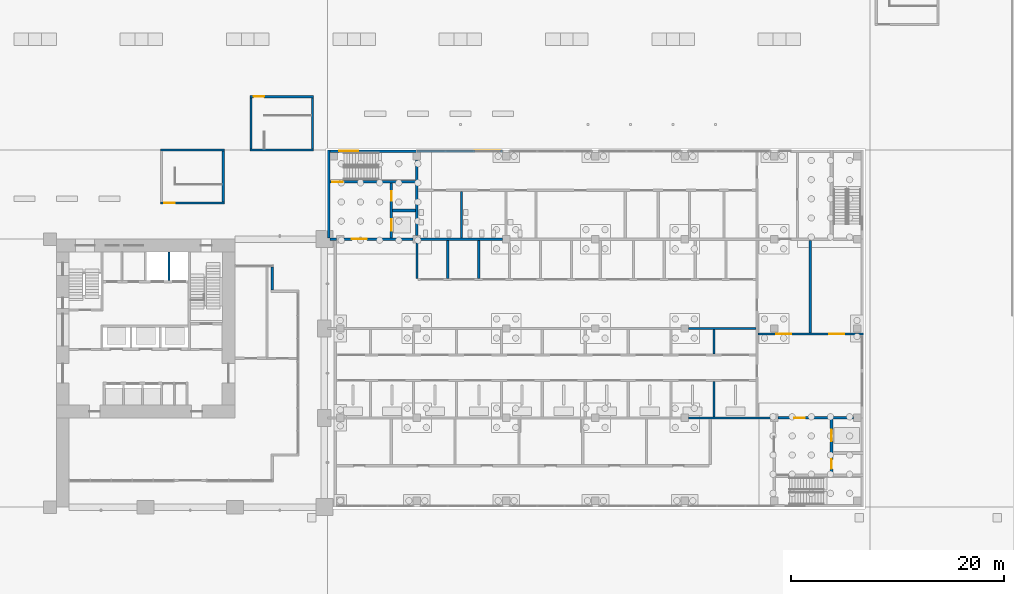
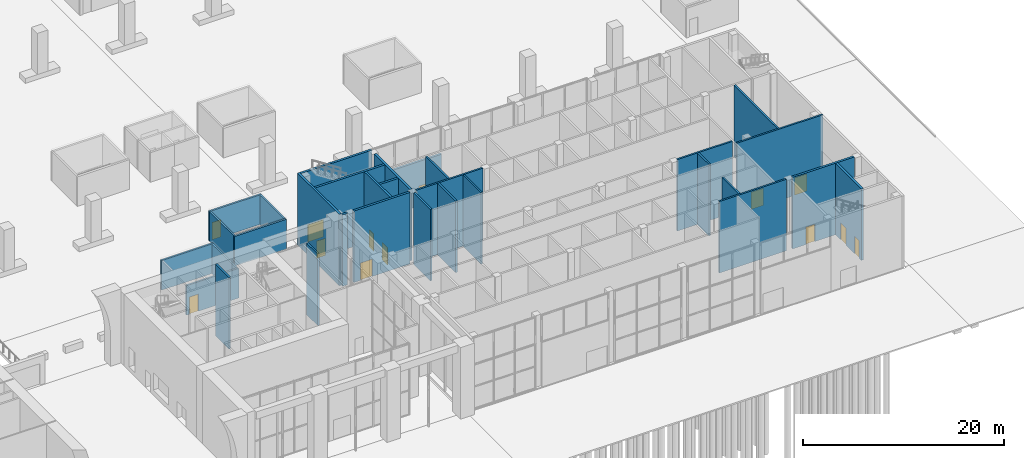
# One storey, part 25 of 46: 31 walls, 13 doors, 13 openings.
"""IFC4 building model written with IfcOpenShell, lengths in metres."""

from ifc_helpers import new_model, si_unit, direction, frame, frame_2d, origin, place, context, subcontext, project, spatial, rectangle, extrude, material, layer, layer_set, type_object, element, fill, save


model = new_model("IFC4")

# Units and contexts
model_context = context("Model", 3, precision=1e-05, world=origin(), true_north=direction((0.0, 1.0)))
body_context = subcontext(model_context, "Body", "Model", "MODEL_VIEW")
ifc_project = project(units=[si_unit("LENGTHUNIT", "METRE"), si_unit("AREAUNIT", "SQUARE_METRE"), si_unit("VOLUMEUNIT", "CUBIC_METRE"), si_unit("PLANEANGLEUNIT", "RADIAN"), si_unit("MASSUNIT", "GRAM", prefix="KILO")], contexts=[model_context])

# Site, building, storey
site_placement = place(None, origin())
site = spatial("IfcSite", under=ifc_project, at=site_placement, CompositionType="ELEMENT")
building_placement = place(site_placement, origin())
building = spatial("IfcBuilding", under=site, at=building_placement, Name="Vermilion Gate Residences", CompositionType="ELEMENT")
storey_placement = place(building_placement, origin())
storey = spatial("IfcBuildingStorey", under=building, at=storey_placement, Name="L00", CompositionType="ELEMENT", Elevation=0.0)

# Wall
ifc_material_1 = material(Name="Insulated steel stud wall with terracotta rainscreen", Category="masonry")
ifc_layer_1 = layer(ifc_material_1, 0.199951171875)
ifc_layer_set_1 = layer_set([ifc_layer_1], Name="EXTERNAL WALL 200 TERRACOTTA RAINSCREEN")
wall_type_1 = type_object("IfcWallType", Name="EXTERNAL WALL 200 TERRACOTTA RAINSCREEN", PredefinedType="SOLIDWALL", material=ifc_layer_set_1)
wall_1_placement = place(storey_placement, frame((62.300048828125, 20.39990234375, 0.0), z_axis=(0.0, 0.0, 1.0), x_axis=(0.0, 1.0, 0.0)))
element("IfcWall", 1, at=wall_1_placement, inside=storey, type_object=wall_type_1, Name="External wall", PredefinedType="SOLIDWALL", context=body_context, shape_type="SweptSolid", body=[
    extrude(rectangle(XDim=2.2001953125, YDim=0.199951171875, at=frame_2d((1.10009765625, 0.0))), origin(), (0.0, 0.0, 1.0), 8.699951171875),
])

# Wall, opening, door
ifc_material_2 = material(Name="Insulated masonry", Category="masonry")
ifc_layer_2 = layer(ifc_material_2, 0.25)
ifc_layer_set_2 = layer_set([ifc_layer_2], Name="EXTERNAL WALL 250 MASONRY 5400 HIGH (MARKET HALL)")
wall_type_2 = type_object("IfcWallType", Name="EXTERNAL WALL 250 MASONRY 5400 HIGH (MARKET HALL)", PredefinedType="SOLIDWALL", material=ifc_layer_set_2)
wall_2_placement = place(storey_placement, frame((75.89990234375, 33.47509765625, 0.0), z_axis=(0.0, 0.0, 1.0), x_axis=(1.0, 0.0, 0.0)))
wall_2 = element("IfcWall", 2, at=wall_2_placement, inside=storey, type_object=wall_type_2, Name="External wall L00-39", PredefinedType="SOLIDWALL", context=body_context, shape_type="SweptSolid", body=[
    extrude(rectangle(XDim=8.050048828125, YDim=0.25, at=frame_2d((4.02490234375, 0.0))), origin(), (0.0, 0.0, 1.0), 5.39990234375),
])
opening_1_placement = place(wall_2_placement, frame((5.449951171875, 0.0, 0.0)))
opening_1 = element("IfcOpeningElement", 3, at=opening_1_placement, cuts=wall_2, Name="Opening DH00058", PredefinedType="OPENING", context=body_context, shape_type="SweptSolid", body=[
    extrude(rectangle(XDim=2.39990234375, YDim=2.39990234375, at=frame_2d((1.199951171875, 1.199951171875))), frame((0.0, 0.135009765625, 0.0), z_axis=(0.0, -1.0, 0.0), x_axis=(1.0, 0.0, 0.0)), (0.0, 0.0, 1.0), 0.27001953125),
])
ifc_material_3 = material(Name="Aluminium and glass", Category="aluminium")
door_type_1 = type_object("IfcDoorType", Name="ENTRANCE DOOR 2400 X 2400 DOUBLE (MARKET HALL)", OperationType="DOUBLE_DOOR_SINGLE_SWING", PredefinedType="DOOR", material=ifc_material_3)
door_1_placement = place(opening_1_placement, origin())
door_1 = element("IfcDoor", 4, at=door_1_placement, inside=storey, type_object=door_type_1, Name="Entrance door DH00058", OperationType="DOUBLE_DOOR_SINGLE_SWING", OverallHeight=2.39990234375, OverallWidth=2.39990234375, PredefinedType="DOOR", context=body_context, shape_type="SweptSolid", body=[
    extrude(rectangle(XDim=2.39990234375, YDim=2.39990234375, at=frame_2d((1.199951171875, 1.199951171875))), frame((0.0, 0.02490234375, 0.0), z_axis=(0.0, -1.0, 0.0), x_axis=(1.0, 0.0, 0.0)), (0.0, 0.0, 1.0), 0.050048828125),
])
fill(opening_1, door_1)

# Wall
ifc_material_4 = material(Name="Masonry", Category="masonry")
ifc_layer_3 = layer(ifc_material_4, 0.199951171875)
ifc_layer_set_3 = layer_set([ifc_layer_3], Name="PARTITION 200 MASONRY EI 60 (MARKET HALL)")
wall_type_3 = type_object("IfcWallType", Name="PARTITION 200 MASONRY EI 60 (MARKET HALL)", PredefinedType="PARTITIONING", material=ifc_layer_set_3)
wall_3_placement = place(storey_placement, frame((101.449951171875, 8.39990234375, 0.0), z_axis=(0.0, 0.0, 1.0), x_axis=(1.0, 0.0, 0.0)))
element("IfcWall", 5, at=wall_3_placement, inside=storey, type_object=wall_type_3, Name="Partition wall L00-15", PredefinedType="PARTITIONING", context=body_context, shape_type="SweptSolid", body=[
    extrude(rectangle(XDim=7.699951171875, YDim=0.199951171875, at=frame_2d((3.85009765625, 0.0))), origin(), (0.0, 0.0, 1.0), 8.699951171875),
])

# Wall, openings, doors
wall_4_placement = place(storey_placement, frame((108.0, 16.300048828125, 0.0), z_axis=(0.0, 0.0, 1.0), x_axis=(1.0, 0.0, 0.0)))
wall_4 = element("IfcWall", 6, at=wall_4_placement, inside=storey, type_object=wall_type_3, Name="Partition wall L00-19", PredefinedType="PARTITIONING", context=body_context, shape_type="SweptSolid", body=[
    extrude(rectangle(XDim=9.89990234375, YDim=0.199951171875, at=frame_2d((4.949951171875, 0.0))), origin(), (0.0, 0.0, 1.0), 8.699951171875),
])
opening_2_placement = place(wall_4_placement, frame((1.699951171875, 0.0, 0.0)))
opening_2 = element("IfcOpeningElement", 7, at=opening_2_placement, cuts=wall_4, Name="Opening DH00050", PredefinedType="OPENING", context=body_context, shape_type="SweptSolid", body=[
    extrude(rectangle(XDim=1.39990234375, YDim=2.10009765625, at=frame_2d((0.699951171875, 1.050048828125))), frame((0.0, 0.10986328125, 0.0), z_axis=(0.0, -1.0, 0.0), x_axis=(1.0, 0.0, 0.0)), (0.0, 0.0, 1.0), 0.219970703125),
])
opening_3_placement = place(wall_4_placement, frame((6.699951171875, 0.0, 0.0)))
opening_3 = element("IfcOpeningElement", 8, at=opening_3_placement, cuts=wall_4, Name="Opening DH00051", PredefinedType="OPENING", context=body_context, shape_type="SweptSolid", body=[
    extrude(rectangle(XDim=1.39990234375, YDim=2.10009765625, at=frame_2d((0.699951171875, 1.050048828125))), frame((0.0, 0.10986328125, 0.0), z_axis=(0.0, -1.0, 0.0), x_axis=(1.0, 0.0, 0.0)), (0.0, 0.0, 1.0), 0.219970703125),
])
ifc_material_5 = material(Name="Steel", Category="steel")
door_type_2 = type_object("IfcDoorType", Name="FIRE DOOR FD30 1400 X 2100 DOUBLE (MARKET HALL)", OperationType="DOUBLE_DOOR_SINGLE_SWING", PredefinedType="DOOR", material=ifc_material_5)
door_2_placement = place(opening_2_placement, frame((1.39990234375, 0.0, 0.0), z_axis=(0.0, 0.0, 1.0), x_axis=(-1.0, 0.0, 0.0)))
door_2 = element("IfcDoor", 9, at=door_2_placement, inside=storey, type_object=door_type_2, Name="Fire door DH00050", OperationType="DOUBLE_DOOR_SINGLE_SWING", OverallHeight=2.10009765625, OverallWidth=1.39990234375, PredefinedType="DOOR", context=body_context, shape_type="SweptSolid", body=[
    extrude(rectangle(XDim=1.39990234375, YDim=2.10009765625, at=frame_2d((0.699951171875, 1.050048828125))), frame((0.0, 0.02490234375, 0.0), z_axis=(0.0, -1.0, 0.0), x_axis=(1.0, 0.0, 0.0)), (0.0, 0.0, 1.0), 0.050048828125),
])
fill(opening_2, door_2)
door_3_placement = place(opening_3_placement, origin())
door_3 = element("IfcDoor", 10, at=door_3_placement, inside=storey, type_object=door_type_2, Name="Fire door DH00051", OperationType="DOUBLE_DOOR_SINGLE_SWING", OverallHeight=2.10009765625, OverallWidth=1.39990234375, PredefinedType="DOOR", context=body_context, shape_type="SweptSolid", body=[
    extrude(rectangle(XDim=1.39990234375, YDim=2.10009765625, at=frame_2d((0.699951171875, 1.050048828125))), frame((0.0, 0.02490234375, 0.0), z_axis=(0.0, -1.0, 0.0), x_axis=(1.0, 0.0, 0.0)), (0.0, 0.0, 1.0), 0.050048828125),
])
fill(opening_3, door_3)

# Walls
wall_5_placement = place(storey_placement, frame((101.449951171875, 16.800048828125, 0.0), z_axis=(0.0, 0.0, 1.0), x_axis=(1.0, 0.0, 0.0)))
element("IfcWall", 11, at=wall_5_placement, inside=storey, type_object=wall_type_3, Name="Partition wall L00-25", PredefinedType="PARTITIONING", context=body_context, shape_type="SweptSolid", body=[
    extrude(rectangle(XDim=6.35009765625, YDim=0.199951171875, at=frame_2d((3.175048828125, 0.0))), origin(), (0.0, 0.0, 1.0), 8.699951171875),
])
wall_6_placement = place(storey_placement, frame((76.25, 25.199951171875, 0.0), z_axis=(0.0, 0.0, 1.0), x_axis=(1.0, 0.0, 0.0)))
element("IfcWall", 12, at=wall_6_placement, inside=storey, type_object=wall_type_3, Name="Partition wall L00-29", PredefinedType="PARTITIONING", context=body_context, shape_type="SweptSolid", body=[
    extrude(rectangle(XDim=7.699951171875, YDim=0.199951171875, at=frame_2d((3.85009765625, 0.0))), origin(), (0.0, 0.0, 1.0), 8.699951171875),
])
wall_7_placement = place(storey_placement, frame((75.89990234375, 21.5, 0.0), z_axis=(0.0, 0.0, 1.0), x_axis=(0.0, 1.0, 0.0)))
element("IfcWall", 13, at=wall_7_placement, inside=storey, type_object=wall_type_3, Name="Partition wall L00-53", PredefinedType="PARTITIONING", context=body_context, shape_type="SweptSolid", body=[
    extrude(rectangle(XDim=3.35009765625, YDim=0.199951171875, at=frame_2d((1.675048828125, 0.0))), origin(), (0.0, 0.0, 1.0), 8.699951171875),
])
wall_8_placement = place(storey_placement, frame((78.80908203125, 21.5, 0.0), z_axis=(0.0, 0.0, 1.0), x_axis=(0.0, 1.0, 0.0)))
element("IfcWall", 14, at=wall_8_placement, inside=storey, type_object=wall_type_3, Name="Partition wall L00-55", PredefinedType="PARTITIONING", context=body_context, shape_type="SweptSolid", body=[
    extrude(rectangle(XDim=3.60009765625, YDim=0.199951171875, at=frame_2d((1.800048828125, 0.0))), origin(), (0.0, 0.0, 1.0), 8.699951171875),
])
wall_9_placement = place(storey_placement, frame((80.10009765625, 25.300048828125, 0.0), z_axis=(0.0, 0.0, 1.0), x_axis=(0.0, 1.0, 0.0)))
element("IfcWall", 15, at=wall_9_placement, inside=storey, type_object=wall_type_3, Name="Partition wall L00-59", PredefinedType="PARTITIONING", context=body_context, shape_type="SweptSolid", body=[
    extrude(rectangle(XDim=4.39990234375, YDim=0.199951171875, at=frame_2d((2.199951171875, 0.0))), origin(), (0.0, 0.0, 1.0), 8.699951171875),
])
wall_10_placement = place(storey_placement, frame((81.71826171875, 21.5, 0.0), z_axis=(0.0, 0.0, 1.0), x_axis=(0.0, 1.0, 0.0)))
element("IfcWall", 16, at=wall_10_placement, inside=storey, type_object=wall_type_3, Name="Partition wall L00-60", PredefinedType="PARTITIONING", context=body_context, shape_type="SweptSolid", body=[
    extrude(rectangle(XDim=3.60009765625, YDim=0.199951171875, at=frame_2d((1.800048828125, 0.0))), origin(), (0.0, 0.0, 1.0), 8.699951171875),
])
wall_11_placement = place(storey_placement, frame((103.860107421875, 8.5, 0.0), z_axis=(0.0, 0.0, 1.0), x_axis=(0.0, 1.0, 0.0)))
element("IfcWall", 17, at=wall_11_placement, inside=storey, type_object=wall_type_3, Name="Partition wall L00-87", PredefinedType="PARTITIONING", context=body_context, shape_type="SweptSolid", body=[
    extrude(rectangle(XDim=3.300048828125, YDim=0.199951171875, at=frame_2d((1.64990234375, 0.0))), origin(), (0.0, 0.0, 1.0), 8.699951171875),
])
wall_12_placement = place(storey_placement, frame((103.860107421875, 14.39990234375, 0.0), z_axis=(0.0, 0.0, 1.0), x_axis=(0.0, 1.0, 0.0)))
element("IfcWall", 18, at=wall_12_placement, inside=storey, type_object=wall_type_3, Name="Partition wall L00-88", PredefinedType="PARTITIONING", context=body_context, shape_type="SweptSolid", body=[
    extrude(rectangle(XDim=2.300048828125, YDim=0.199951171875, at=frame_2d((1.14990234375, 0.0))), origin(), (0.0, 0.0, 1.0), 8.699951171875),
])
wall_13_placement = place(storey_placement, frame((112.89990234375, 16.39990234375, 0.0), z_axis=(0.0, 0.0, 1.0), x_axis=(0.0, 1.0, 0.0)))
element("IfcWall", 19, at=wall_13_placement, inside=storey, type_object=wall_type_3, Name="Partition wall L00-94", PredefinedType="PARTITIONING", context=body_context, shape_type="SweptSolid", body=[
    extrude(rectangle(XDim=8.7001953125, YDim=0.199951171875, at=frame_2d((4.35009765625, 0.0))), origin(), (0.0, 0.0, 1.0), 8.699951171875),
])
ifc_material_6 = material(Name="Concrete C60", Category="concrete")
ifc_layer_4 = layer(ifc_material_6, 0.199951171875)
ifc_layer_set_4 = layer_set([ifc_layer_4], Name="RC CORE INTERNAL WALL 200 C60")
wall_type_4 = type_object("IfcWallType", Name="RC CORE INTERNAL WALL 200 C60", PredefinedType="SHEAR", material=ifc_layer_set_4)
wall_14_placement = place(storey_placement, frame((52.60009765625, 21.300048828125, 0.0), z_axis=(0.0, 0.0, 1.0), x_axis=(0.0, 1.0, 0.0)))
element("IfcWall", 20, at=wall_14_placement, inside=storey, type_object=wall_type_4, Name="Core internal wall A00-FF-D1", PredefinedType="SHEAR", context=body_context, shape_type="SweptSolid", body=[
    extrude(rectangle(XDim=2.699951171875, YDim=0.199951171875, at=frame_2d((1.35009765625, 0.0))), origin(), (0.0, 0.0, 1.0), 8.699951171875),
])

# Wall, opening, door
ifc_material_7 = material(Name="Concrete C45", Category="concrete")
ifc_layer_5 = layer(ifc_material_7, 0.25)
ifc_layer_set_5 = layer_set([ifc_layer_5], Name="RC CORE WALL 250 C45 (MARKET HALL)")
wall_type_5 = type_object("IfcWallType", Name="RC CORE WALL 250 C45 (MARKET HALL)", PredefinedType="SHEAR", material=ifc_layer_set_5)
wall_15_placement = place(storey_placement, frame((109.85009765625, 8.39990234375, 0.0), z_axis=(0.0, 0.0, 1.0), x_axis=(1.0, 0.0, 0.0)))
wall_15 = element("IfcWall", 21, at=wall_15_placement, inside=storey, type_object=wall_type_5, Name="Core wall L00-16", PredefinedType="SHEAR", context=body_context, shape_type="SweptSolid", body=[
    extrude(rectangle(XDim=7.099853515625, YDim=0.25, at=frame_2d((3.5498046875, 0.0))), origin(), (0.0, 0.0, 1.0), 8.699951171875),
])
opening_4_placement = place(wall_15_placement, frame((1.550048828125, 0.0, 0.0)))
opening_4 = element("IfcOpeningElement", 22, at=opening_4_placement, cuts=wall_15, Name="Opening DH00048", PredefinedType="OPENING", context=body_context, shape_type="SweptSolid", body=[
    extrude(rectangle(XDim=1.0, YDim=2.10009765625, at=frame_2d((0.5, 1.050048828125))), frame((0.0, 0.135009765625, 0.0), z_axis=(0.0, -1.0, 0.0), x_axis=(1.0, 0.0, 0.0)), (0.0, 0.0, 1.0), 0.27001953125),
])
ifc_material_8 = material(Name="Steel", Category="steel")
door_type_3 = type_object("IfcDoorType", Name="FIRE DOOR FD60 1000 X 2100 (MARKET HALL)", OperationType="SINGLE_SWING_LEFT", PredefinedType="DOOR", material=ifc_material_8)
door_4_placement = place(opening_4_placement, origin())
door_4 = element("IfcDoor", 23, at=door_4_placement, inside=storey, type_object=door_type_3, Name="Lobby fire door DH00048", OperationType="SINGLE_SWING_LEFT", OverallHeight=2.10009765625, OverallWidth=1.0, PredefinedType="DOOR", context=body_context, shape_type="SweptSolid", body=[
    extrude(rectangle(XDim=1.0, YDim=2.10009765625, at=frame_2d((0.5, 1.050048828125))), frame((0.0, 0.02490234375, 0.0), z_axis=(0.0, -1.0, 0.0), x_axis=(1.0, 0.0, 0.0)), (0.0, 0.0, 1.0), 0.050048828125),
])
fill(opening_4, door_4)

# Wall
wall_16_placement = place(storey_placement, frame((67.75, 25.199951171875, 0.0), z_axis=(0.0, 0.0, 1.0), x_axis=(1.0, 0.0, 0.0)))
element("IfcWall", 24, at=wall_16_placement, inside=storey, type_object=wall_type_5, Name="Core wall L00-27", PredefinedType="SHEAR", context=body_context, shape_type="SweptSolid", body=[
    extrude(rectangle(XDim=0.60009765625, YDim=0.25, at=frame_2d((0.300048828125, 0.0))), origin(), (0.0, 0.0, 1.0), 8.699951171875),
])

# Wall, opening, door
wall_17_placement = place(storey_placement, frame((69.050048828125, 25.199951171875, 0.0), z_axis=(0.0, 0.0, 1.0), x_axis=(1.0, 0.0, 0.0)))
wall_17 = element("IfcWall", 25, at=wall_17_placement, inside=storey, type_object=wall_type_5, Name="Core wall L00-28", PredefinedType="SHEAR", context=body_context, shape_type="SweptSolid", body=[
    extrude(rectangle(XDim=6.5, YDim=0.25, at=frame_2d((3.25, 0.0))), origin(), (0.0, 0.0, 1.0), 8.699951171875),
])
opening_5_placement = place(wall_17_placement, frame((0.75, 0.0, 0.0)))
opening_5 = element("IfcOpeningElement", 26, at=opening_5_placement, cuts=wall_17, Name="Opening DH00046", PredefinedType="OPENING", context=body_context, shape_type="SweptSolid", body=[
    extrude(rectangle(XDim=1.39990234375, YDim=2.10009765625, at=frame_2d((0.699951171875, 1.050048828125))), frame((0.0, 0.135009765625, 0.0), z_axis=(0.0, -1.0, 0.0), x_axis=(1.0, 0.0, 0.0)), (0.0, 0.0, 1.0), 0.27001953125),
])
ifc_material_9 = material(Name="Steel", Category="steel")
door_type_4 = type_object("IfcDoorType", Name="FIRE DOOR FD60 1400 X 2100 DOUBLE (MARKET HALL)", OperationType="DOUBLE_DOOR_SINGLE_SWING", PredefinedType="DOOR", material=ifc_material_9)
door_5_placement = place(opening_5_placement, frame((1.39990234375, 0.0, 0.0), z_axis=(0.0, 0.0, 1.0), x_axis=(-1.0, 0.0, 0.0)))
door_5 = element("IfcDoor", 27, at=door_5_placement, inside=storey, type_object=door_type_4, Name="Lobby fire door DH00046", OperationType="DOUBLE_DOOR_SINGLE_SWING", OverallHeight=2.10009765625, OverallWidth=1.39990234375, PredefinedType="DOOR", context=body_context, shape_type="SweptSolid", body=[
    extrude(rectangle(XDim=1.39990234375, YDim=2.10009765625, at=frame_2d((0.699951171875, 1.050048828125))), frame((0.0, 0.02490234375, 0.0), z_axis=(0.0, -1.0, 0.0), x_axis=(1.0, 0.0, 0.0)), (0.0, 0.0, 1.0), 0.050048828125),
])
fill(opening_5, door_5)

# Wall
wall_18_placement = place(storey_placement, frame((73.625, 27.89990234375, 0.0), z_axis=(0.0, 0.0, 1.0), x_axis=(1.0, 0.0, 0.0)))
element("IfcWall", 28, at=wall_18_placement, inside=storey, type_object=wall_type_5, Name="Core wall L00-35", PredefinedType="SHEAR", context=body_context, shape_type="SweptSolid", body=[
    extrude(rectangle(XDim=2.14990234375, YDim=0.25, at=frame_2d((1.074951171875, 0.0))), origin(), (0.0, 0.0, 1.0), 8.699951171875),
])

# Wall, opening, door
wall_19_placement = place(storey_placement, frame((67.75, 30.60009765625, 0.0), z_axis=(0.0, 0.0, 1.0), x_axis=(1.0, 0.0, 0.0)))
wall_19 = element("IfcWall", 29, at=wall_19_placement, inside=storey, type_object=wall_type_5, Name="Core wall L00-37", PredefinedType="SHEAR", context=body_context, shape_type="SweptSolid", body=[
    extrude(rectangle(XDim=8.02490234375, YDim=0.25, at=frame_2d((4.012451171875, 0.0))), origin(), (0.0, 0.0, 1.0), 8.699951171875),
])
opening_6_placement = place(wall_19_placement, frame((0.199951171875, 0.0, 0.0)))
opening_6 = element("IfcOpeningElement", 30, at=opening_6_placement, cuts=wall_19, Name="Opening DH00065", PredefinedType="OPENING", context=body_context, shape_type="SweptSolid", body=[
    extrude(rectangle(XDim=1.0, YDim=2.10009765625, at=frame_2d((0.5, 1.050048828125))), frame((0.0, 0.135009765625, 0.0), z_axis=(0.0, -1.0, 0.0), x_axis=(1.0, 0.0, 0.0)), (0.0, 0.0, 1.0), 0.27001953125),
])
ifc_material_10 = material(Name="Steel", Category="steel")
door_type_5 = type_object("IfcDoorType", Name="STAIR DOOR FD60 1000 X 2100 (MARKET HALL)", OperationType="SINGLE_SWING_LEFT", PredefinedType="DOOR", material=ifc_material_10)
door_6_placement = place(opening_6_placement, origin())
door_6 = element("IfcDoor", 31, at=door_6_placement, inside=storey, type_object=door_type_5, Name="Stair door DH00065", OperationType="SINGLE_SWING_RIGHT", OverallHeight=2.10009765625, OverallWidth=1.0, PredefinedType="DOOR", context=body_context, shape_type="SweptSolid", body=[
    extrude(rectangle(XDim=1.0, YDim=2.10009765625, at=frame_2d((0.5, 1.050048828125))), frame((0.0, 0.02490234375, 0.0), z_axis=(0.0, -1.0, 0.0), x_axis=(1.0, 0.0, 0.0)), (0.0, 0.0, 1.0), 0.050048828125),
])
fill(opening_6, door_6)

wall_20_placement = place(storey_placement, frame((67.75, 33.47509765625, 0.0), z_axis=(0.0, 0.0, 1.0), x_axis=(1.0, 0.0, 0.0)))
wall_20 = element("IfcWall", 32, at=wall_20_placement, inside=storey, type_object=wall_type_5, Name="Core wall L00-38", PredefinedType="SHEAR", context=body_context, shape_type="SweptSolid", body=[
    extrude(rectangle(XDim=8.14990234375, YDim=0.25, at=frame_2d((4.074951171875, 0.0))), origin(), (0.0, 0.0, 1.0), 8.699951171875),
])
opening_7_placement = place(wall_20_placement, frame((0.85009765625, 0.0, 0.0)))
opening_7 = element("IfcOpeningElement", 33, at=opening_7_placement, cuts=wall_20, Name="Opening DH00068", PredefinedType="OPENING", context=body_context, shape_type="SweptSolid", body=[
    extrude(rectangle(XDim=1.800048828125, YDim=2.10009765625, at=frame_2d((0.89990234375, 1.050048828125))), frame((0.0, 0.135009765625, 0.0), z_axis=(0.0, -1.0, 0.0), x_axis=(1.0, 0.0, 0.0)), (0.0, 0.0, 1.0), 0.27001953125),
])
ifc_material_11 = material(Name="Steel", Category="steel")
door_type_6 = type_object("IfcDoorType", Name="EXIT DOOR FD60 1800 X 2100 DOUBLE (MARKET HALL)", OperationType="DOUBLE_DOOR_SINGLE_SWING", PredefinedType="DOOR", material=ifc_material_11)
door_7_placement = place(opening_7_placement, origin())
door_7 = element("IfcDoor", 34, at=door_7_placement, inside=storey, type_object=door_type_6, Name="Exit door DH00068", OperationType="DOUBLE_DOOR_SINGLE_SWING", OverallHeight=2.10009765625, OverallWidth=1.800048828125, PredefinedType="DOOR", context=body_context, shape_type="SweptSolid", body=[
    extrude(rectangle(XDim=1.800048828125, YDim=2.10009765625, at=frame_2d((0.89990234375, 1.050048828125))), frame((0.0, 0.02490234375, 0.0), z_axis=(0.0, -1.0, 0.0), x_axis=(1.0, 0.0, 0.0)), (0.0, 0.0, 1.0), 0.050048828125),
])
fill(opening_7, door_7)

# Wall
wall_21_placement = place(storey_placement, frame((67.625, 25.324951171875, 0.0), z_axis=(0.0, 0.0, 1.0), x_axis=(0.0, 1.0, 0.0)))
element("IfcWall", 35, at=wall_21_placement, inside=storey, type_object=wall_type_5, Name="Core wall L00-45", PredefinedType="SHEAR", context=body_context, shape_type="SweptSolid", body=[
    extrude(rectangle(XDim=8.275146484375, YDim=0.25, at=frame_2d((4.1376953125, 0.0))), origin(), (0.0, 0.0, 1.0), 8.699951171875),
])

# Wall, openings, doors
wall_22_placement = place(storey_placement, frame((73.5, 25.324951171875, 0.0), z_axis=(0.0, 0.0, 1.0), x_axis=(0.0, 1.0, 0.0)))
wall_22 = element("IfcWall", 36, at=wall_22_placement, inside=storey, type_object=wall_type_5, Name="Core wall L00-50", PredefinedType="SHEAR", context=body_context, shape_type="SweptSolid", body=[
    extrude(rectangle(XDim=5.150146484375, YDim=0.25, at=frame_2d((2.5751953125, 0.0))), origin(), (0.0, 0.0, 1.0), 8.699951171875),
])
opening_8_placement = place(wall_22_placement, frame((0.675048828125, 0.0, 0.0)))
opening_8 = element("IfcOpeningElement", 37, at=opening_8_placement, cuts=wall_22, Name="Opening LD", PredefinedType="OPENING", context=body_context, shape_type="SweptSolid", body=[
    extrude(rectangle(XDim=1.10009765625, YDim=2.10009765625, at=frame_2d((0.550048828125, 1.050048828125))), frame((0.0, 0.135009765625, 0.0), z_axis=(0.0, -1.0, 0.0), x_axis=(1.0, 0.0, 0.0)), (0.0, 0.0, 1.0), 0.27001953125),
])
opening_9_placement = place(wall_22_placement, frame((3.47509765625, 0.0, 0.0)))
opening_9 = element("IfcOpeningElement", 38, at=opening_9_placement, cuts=wall_22, Name="Opening DH00067", PredefinedType="OPENING", context=body_context, shape_type="SweptSolid", body=[
    extrude(rectangle(XDim=0.89990234375, YDim=2.10009765625, at=frame_2d((0.449951171875, 1.050048828125))), frame((0.0, 0.135009765625, 0.0), z_axis=(0.0, -1.0, 0.0), x_axis=(1.0, 0.0, 0.0)), (0.0, 0.0, 1.0), 0.27001953125),
])
ifc_material_12 = material(Name="Steel", Category="steel")
door_type_7 = type_object("IfcDoorType", Name="FIRE DOOR FD60 900 X 2100 (MARKET HALL)", OperationType="SINGLE_SWING_LEFT", PredefinedType="DOOR", material=ifc_material_12)
door_8_placement = place(opening_9_placement, frame((0.89990234375, 0.0, 0.0), z_axis=(0.0, 0.0, 1.0), x_axis=(-1.0, 0.0, 0.0)))
door_8 = element("IfcDoor", 39, at=door_8_placement, inside=storey, type_object=door_type_7, Name="Lobby fire door DH00067", OperationType="SINGLE_SWING_RIGHT", OverallHeight=2.10009765625, OverallWidth=0.89990234375, PredefinedType="DOOR", context=body_context, shape_type="SweptSolid", body=[
    extrude(rectangle(XDim=0.89990234375, YDim=2.10009765625, at=frame_2d((0.449951171875, 1.050048828125))), frame((0.0, 0.02490234375, 0.0), z_axis=(0.0, -1.0, 0.0), x_axis=(1.0, 0.0, 0.0)), (0.0, 0.0, 1.0), 0.050048828125),
])
fill(opening_9, door_8)
ifc_material_13 = material(Name="Stainless steel", Category="steel")
door_type_8 = type_object("IfcDoorType", Name="LIFT LANDING DOOR 1100 X 2100 (MARKET HALL)", OperationType="SLIDING_TO_LEFT", PredefinedType="DOOR", material=ifc_material_13)
door_9_placement = place(opening_8_placement, origin())
door_9 = element("IfcDoor", 40, at=door_9_placement, inside=storey, type_object=door_type_8, Name="Lift landing door L00-66", OperationType="SLIDING_TO_LEFT", OverallHeight=2.10009765625, OverallWidth=1.10009765625, PredefinedType="DOOR", context=body_context, shape_type="SweptSolid", body=[
    extrude(rectangle(XDim=1.10009765625, YDim=2.10009765625, at=frame_2d((0.550048828125, 1.050048828125))), frame((0.0, 0.02490234375, 0.0), z_axis=(0.0, -1.0, 0.0), x_axis=(1.0, 0.0, 0.0)), (0.0, 0.0, 1.0), 0.050048828125),
])
fill(opening_8, door_9)

# Wall
wall_23_placement = place(storey_placement, frame((75.89990234375, 25.550048828125, 0.0), z_axis=(0.0, 0.0, 1.0), x_axis=(0.0, 1.0, 0.0)))
element("IfcWall", 41, at=wall_23_placement, inside=storey, type_object=wall_type_5, Name="Core wall L00-54", PredefinedType="SHEAR", context=body_context, shape_type="SweptSolid", body=[
    extrude(rectangle(XDim=7.099853515625, YDim=0.25, at=frame_2d((3.5498046875, 0.0))), origin(), (0.0, 0.0, 1.0), 8.699951171875),
])

# Wall, openings, doors
wall_24_placement = place(storey_placement, frame((114.89990234375, 3.125, 0.0), z_axis=(0.0, 0.0, 1.0), x_axis=(0.0, 1.0, 0.0)))
wall_24 = element("IfcWall", 42, at=wall_24_placement, inside=storey, type_object=wall_type_5, Name="Core wall L00-95", PredefinedType="SHEAR", context=body_context, shape_type="SweptSolid", body=[
    extrude(rectangle(XDim=5.14990234375, YDim=0.25, at=frame_2d((2.574951171875, 0.0))), origin(), (0.0, 0.0, 1.0), 8.699951171875),
])
opening_10_placement = place(wall_24_placement, frame((3.074951171875, 0.0, 0.0)))
opening_10 = element("IfcOpeningElement", 43, at=opening_10_placement, cuts=wall_24, Name="Opening LD", PredefinedType="OPENING", context=body_context, shape_type="SweptSolid", body=[
    extrude(rectangle(XDim=1.10009765625, YDim=2.10009765625, at=frame_2d((0.550048828125, 1.050048828125))), frame((0.0, 0.135009765625, 0.0), z_axis=(0.0, -1.0, 0.0), x_axis=(1.0, 0.0, 0.0)), (0.0, 0.0, 1.0), 0.27001953125),
])
opening_11_placement = place(wall_24_placement, frame((0.47509765625, 0.0, 0.0)))
opening_11 = element("IfcOpeningElement", 44, at=opening_11_placement, cuts=wall_24, Name="Opening DH00071", PredefinedType="OPENING", context=body_context, shape_type="SweptSolid", body=[
    extrude(rectangle(XDim=0.89990234375, YDim=2.10009765625, at=frame_2d((0.449951171875, 1.050048828125))), frame((0.0, 0.135009765625, 0.0), z_axis=(0.0, -1.0, 0.0), x_axis=(1.0, 0.0, 0.0)), (0.0, 0.0, 1.0), 0.27001953125),
])
door_10_placement = place(opening_11_placement, frame((0.89990234375, 0.0, 0.0), z_axis=(0.0, 0.0, 1.0), x_axis=(-1.0, 0.0, 0.0)))
door_10 = element("IfcDoor", 45, at=door_10_placement, inside=storey, type_object=door_type_7, Name="Lobby fire door DH00071", OperationType="SINGLE_SWING_LEFT", OverallHeight=2.10009765625, OverallWidth=0.89990234375, PredefinedType="DOOR", context=body_context, shape_type="SweptSolid", body=[
    extrude(rectangle(XDim=0.89990234375, YDim=2.10009765625, at=frame_2d((0.449951171875, 1.050048828125))), frame((0.0, 0.02490234375, 0.0), z_axis=(0.0, -1.0, 0.0), x_axis=(1.0, 0.0, 0.0)), (0.0, 0.0, 1.0), 0.050048828125),
])
fill(opening_11, door_10)
door_11_placement = place(opening_10_placement, origin())
door_11 = element("IfcDoor", 46, at=door_11_placement, inside=storey, type_object=door_type_8, Name="Lift landing door L00-70", OperationType="SLIDING_TO_LEFT", OverallHeight=2.10009765625, OverallWidth=1.10009765625, PredefinedType="DOOR", context=body_context, shape_type="SweptSolid", body=[
    extrude(rectangle(XDim=1.10009765625, YDim=2.10009765625, at=frame_2d((0.550048828125, 1.050048828125))), frame((0.0, 0.02490234375, 0.0), z_axis=(0.0, -1.0, 0.0), x_axis=(1.0, 0.0, 0.0)), (0.0, 0.0, 1.0), 0.050048828125),
])
fill(opening_10, door_11)

# Wall, opening, door
ifc_material_14 = material(Name="Concrete C40", Category="concrete")
ifc_layer_6 = layer(ifc_material_14, 0.199951171875)
ifc_layer_set_6 = layer_set([ifc_layer_6], Name="RC STAIR AND SHAFT WALL 200 EI 180 C40 (AMENITY)")
wall_type_6 = type_object("IfcWallType", Name="RC STAIR AND SHAFT WALL 200 EI 180 C40 (AMENITY)", PredefinedType="SOLIDWALL", material=ifc_layer_set_6)
wall_25_placement = place(storey_placement, frame((51.800048828125, 28.60009765625, 0.0), z_axis=(0.0, 0.0, 1.0), x_axis=(1.0, 0.0, 0.0)))
wall_25 = element("IfcWall", 47, at=wall_25_placement, inside=storey, type_object=wall_type_6, Name="Stair and shaft wall 27", PredefinedType="SOLIDWALL", context=body_context, shape_type="SweptSolid", body=[
    extrude(rectangle(XDim=6.0, YDim=0.199951171875, at=frame_2d((3.0, 0.0))), origin(), (0.0, 0.0, 1.0), 3.60009765625),
])
opening_12_placement = place(wall_25_placement, frame((0.35009765625, 0.0, 0.0)))
opening_12 = element("IfcOpeningElement", 48, at=opening_12_placement, cuts=wall_25, Name="Opening DG00004", PredefinedType="OPENING", context=body_context, shape_type="SweptSolid", body=[
    extrude(rectangle(XDim=1.0, YDim=2.10009765625, at=frame_2d((0.5, 1.050048828125))), frame((0.0, 0.10986328125, 0.0), z_axis=(0.0, -1.0, 0.0), x_axis=(1.0, 0.0, 0.0)), (0.0, 0.0, 1.0), 0.219970703125),
])
ifc_material_15 = material(Name="Steel", Category="steel")
door_type_9 = type_object("IfcDoorType", Name="DOOR 1000 X 2100 FD60 (AMENITY)", OperationType="SINGLE_SWING_LEFT", PredefinedType="DOOR", material=ifc_material_15)
door_12_placement = place(opening_12_placement, frame((1.0, 0.0, 0.0), z_axis=(0.0, 0.0, 1.0), x_axis=(-1.0, 0.0, 0.0)))
door_12 = element("IfcDoor", 49, at=door_12_placement, inside=storey, type_object=door_type_9, Name="Door L00 4", OperationType="SINGLE_SWING_RIGHT", OverallHeight=2.10009765625, OverallWidth=1.0, PredefinedType="DOOR", context=body_context, shape_type="SweptSolid", body=[
    extrude(rectangle(XDim=1.0, YDim=2.10009765625, at=frame_2d((0.5, 1.050048828125))), frame((0.0, 0.02490234375, 0.0), z_axis=(0.0, -1.0, 0.0), x_axis=(1.0, 0.0, 0.0)), (0.0, 0.0, 1.0), 0.050048828125),
])
fill(opening_12, door_12)

# Walls
wall_26_placement = place(storey_placement, frame((51.800048828125, 33.60009765625, 0.0), z_axis=(0.0, 0.0, 1.0), x_axis=(1.0, 0.0, 0.0)))
element("IfcWall", 50, at=wall_26_placement, inside=storey, type_object=wall_type_6, Name="Stair and shaft wall 28", PredefinedType="SOLIDWALL", context=body_context, shape_type="SweptSolid", body=[
    extrude(rectangle(XDim=6.0, YDim=0.199951171875, at=frame_2d((3.0, 0.0))), origin(), (0.0, 0.0, 1.0), 3.60009765625),
])
for number, where, z_axis, x_axis, name in (
    (51, (57.699951171875, 28.699951171875, 0.0), (0.0, 0.0, 1.0), (0.0, 1.0, 0.0), "Stair and shaft wall 35"),
    (52, (60.300048828125, 33.699951171875, 0.0), (0.0, 0.0, 1.0), (0.0, 1.0, 0.0), "Stair and shaft wall 38"),
):
    element("IfcWall", number, at=place(storey_placement, frame(where, z_axis=z_axis, x_axis=x_axis)), inside=storey, type_object=wall_type_6, Name=name, PredefinedType="SOLIDWALL", context=body_context, shape_type="SweptSolid", body=[
        extrude(rectangle(XDim=4.800048828125, YDim=0.199951171875, at=frame_2d((2.39990234375, 0.0))), origin(), (0.0, 0.0, 1.0), 3.60009765625),
    ])
wall_27_placement = place(storey_placement, frame((60.199951171875, 33.60009765625, 0.0), z_axis=(0.0, 0.0, 1.0), x_axis=(1.0, 0.0, 0.0)))
element("IfcWall", 53, at=wall_27_placement, inside=storey, type_object=wall_type_6, Name="Stair and shaft wall 39", PredefinedType="SOLIDWALL", context=body_context, shape_type="SweptSolid", body=[
    extrude(rectangle(XDim=6.0, YDim=0.199951171875, at=frame_2d((3.0, 0.0))), origin(), (0.0, 0.0, 1.0), 3.60009765625),
])

# Wall, opening, door
wall_28_placement = place(storey_placement, frame((60.199951171875, 38.60009765625, 0.0), z_axis=(0.0, 0.0, 1.0), x_axis=(1.0, 0.0, 0.0)))
wall_28 = element("IfcWall", 54, at=wall_28_placement, inside=storey, type_object=wall_type_6, Name="Stair and shaft wall 40", PredefinedType="SOLIDWALL", context=body_context, shape_type="SweptSolid", body=[
    extrude(rectangle(XDim=6.0, YDim=0.199951171875, at=frame_2d((3.0, 0.0))), origin(), (0.0, 0.0, 1.0), 3.60009765625),
])
opening_13_placement = place(wall_28_placement, frame((0.35009765625, 0.0, 0.0)))
opening_13 = element("IfcOpeningElement", 55, at=opening_13_placement, cuts=wall_28, Name="Opening DG00016", PredefinedType="OPENING", context=body_context, shape_type="SweptSolid", body=[
    extrude(rectangle(XDim=1.0, YDim=2.10009765625, at=frame_2d((0.5, 1.050048828125))), frame((0.0, 0.10986328125, 0.0), z_axis=(0.0, -1.0, 0.0), x_axis=(1.0, 0.0, 0.0)), (0.0, 0.0, 1.0), 0.219970703125),
])
door_13_placement = place(opening_13_placement, origin())
door_13 = element("IfcDoor", 56, at=door_13_placement, inside=storey, type_object=door_type_9, Name="Door L00 16", OperationType="SINGLE_SWING_LEFT", OverallHeight=2.10009765625, OverallWidth=1.0, PredefinedType="DOOR", context=body_context, shape_type="SweptSolid", body=[
    extrude(rectangle(XDim=1.0, YDim=2.10009765625, at=frame_2d((0.5, 1.050048828125))), frame((0.0, 0.02490234375, 0.0), z_axis=(0.0, -1.0, 0.0), x_axis=(1.0, 0.0, 0.0)), (0.0, 0.0, 1.0), 0.050048828125),
])
fill(opening_13, door_13)

# Wall
wall_29_placement = place(storey_placement, frame((66.10009765625, 33.699951171875, 0.0), z_axis=(0.0, 0.0, 1.0), x_axis=(0.0, 1.0, 0.0)))
element("IfcWall", 57, at=wall_29_placement, inside=storey, type_object=wall_type_6, Name="Stair and shaft wall 51", PredefinedType="SOLIDWALL", context=body_context, shape_type="SweptSolid", body=[
    extrude(rectangle(XDim=4.800048828125, YDim=0.199951171875, at=frame_2d((2.39990234375, 0.0))), origin(), (0.0, 0.0, 1.0), 3.60009765625),
])

save(model, "model.ifc")
